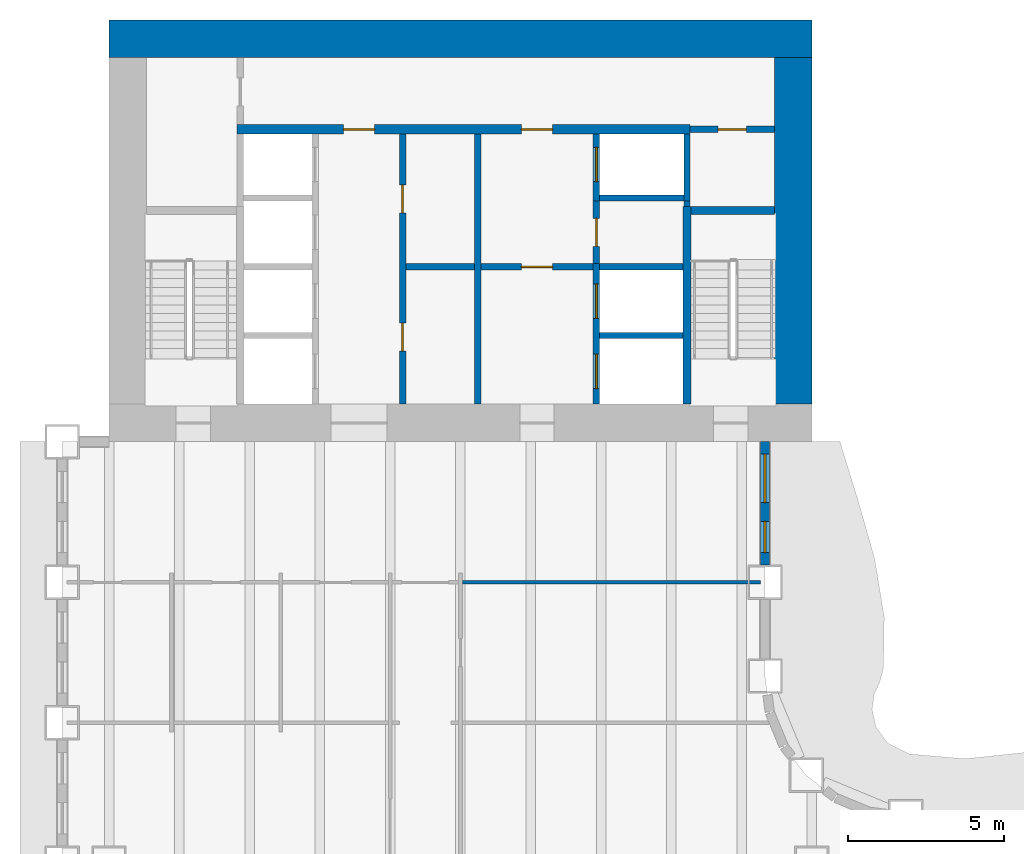
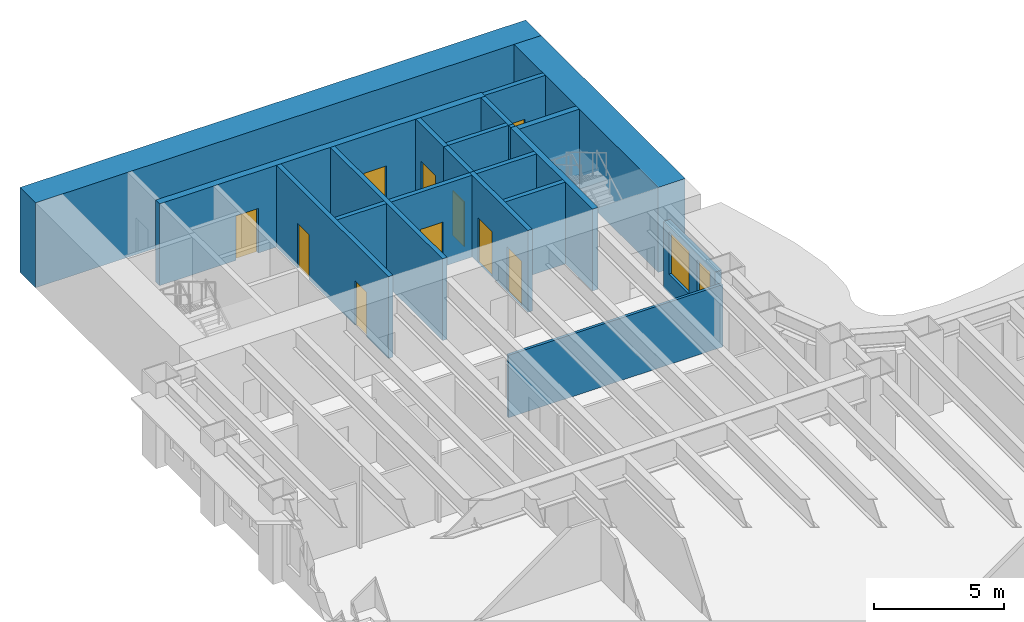
# One storey, part 8 of 15: 20 walls, 10 doors, 2 windows, 12 openings.
"""IFC4 building model written with IfcOpenShell, lengths in metres."""

from ifc_helpers import new_model, si_unit, direction, frame, frame_2d, origin, place, context, subcontext, project, spatial, rectangle, extrude, material, layer, layer_set, type_object, element, fill, save


model = new_model("IFC4")

# Units and contexts
model_context = context("Model", 3, precision=1e-05, world=origin(), true_north=direction((0.0, 1.0)))
body_context = subcontext(model_context, "Body", "Model", "MODEL_VIEW")
ifc_project = project(units=[si_unit("LENGTHUNIT", "METRE"), si_unit("AREAUNIT", "SQUARE_METRE"), si_unit("VOLUMEUNIT", "CUBIC_METRE"), si_unit("PLANEANGLEUNIT", "RADIAN"), si_unit("MASSUNIT", "GRAM", prefix="KILO")], contexts=[model_context])

# Site, building, storey
site_placement = place(None, origin())
site = spatial("IfcSite", under=ifc_project, at=site_placement, CompositionType="ELEMENT")
building_placement = place(site_placement, origin())
building = spatial("IfcBuilding", under=site, at=building_placement, Name="Sennacour Bend Tower", CompositionType="ELEMENT")
storey_placement = place(building_placement, frame((0.0, 0.0, 37.0)))
storey = spatial("IfcBuildingStorey", under=building, at=storey_placement, Name="L07", CompositionType="ELEMENT", Elevation=37.0)

# Walls
ifc_material_1 = material(Name="Concrete C80/95", Category="concrete")
ifc_layer_1 = layer(ifc_material_1, 1.199951171875, Name="Concrete C80/95", Category="concrete")
ifc_layer_set_1 = layer_set([ifc_layer_1], Name="Concrete C80/95")
wall_type_1 = type_object("IfcWallType", Name="Core wall 1200 C80/95", PredefinedType="SHEAR", material=ifc_layer_set_1)
wall_1_placement = place(storey_placement, frame((0.0, 48.89990234375, -0.14990234375), z_axis=(0.0, 0.0, 1.0), x_axis=(1.0, 0.0, 0.0)))
element("IfcWall", 1, at=wall_1_placement, inside=storey, type_object=wall_type_1, Name="Core B wall L07 N", PredefinedType="SHEAR", context=body_context, shape_type="SweptSolid", body=[
    extrude(rectangle(XDim=22.5, YDim=1.199951171875, at=frame_2d((11.25, 0.0))), origin(), (0.0, 0.0, 1.0), 4.0),
])
wall_2_placement = place(storey_placement, frame((21.89990234375, 37.199951171875, -0.14990234375), z_axis=(0.0, 0.0, 1.0), x_axis=(0.0, 1.0, 0.0)))
element("IfcWall", 2, at=wall_2_placement, inside=storey, type_object=wall_type_1, Name="Core B wall L07 E", PredefinedType="SHEAR", context=body_context, shape_type="SweptSolid", body=[
    extrude(rectangle(XDim=11.10009765625, YDim=1.199951171875, at=frame_2d((5.550048828125, 0.0))), origin(), (0.0, 0.0, 1.0), 4.0),
])
ifc_material_2 = material(Name="Plasterboard partition on steel studs", Category="steel")
ifc_layer_2 = layer(ifc_material_2, 0.1201171875, Name="Plasterboard partition on steel studs", Category="steel")
ifc_layer_set_2 = layer_set([ifc_layer_2], Name="Plasterboard partition on steel studs")
wall_type_2 = type_object("IfcWallType", Name="Partition 120", PredefinedType="PARTITIONING", material=ifc_layer_set_2)
wall_3_placement = place(storey_placement, frame((11.31005859375, 31.5, 0.0), z_axis=(0.0, 0.0, 1.0), x_axis=(1.0, 0.0, 0.0)))
element("IfcWall", 3, at=wall_3_placement, inside=storey, type_object=wall_type_2, Name="P-L07-W074ae", PredefinedType="PARTITIONING", context=body_context, shape_type="SweptSolid", body=[
    extrude(rectangle(XDim=9.5400390625, YDim=0.1201171875, at=frame_2d((4.77001953125, 0.0))), origin(), (0.0, 0.0, 1.0), 2.93798828125),
])

# Wall, openings, doors
ifc_material_3 = material(Name="Fire-rated plasterboard partition on steel studs", Category="steel")
ifc_layer_3 = layer(ifc_material_3, 0.199951171875, Name="Fire-rated plasterboard partition on steel studs", Category="steel")
ifc_layer_set_3 = layer_set([ifc_layer_3], Name="Fire-rated plasterboard partition on steel studs")
wall_type_3 = type_object("IfcWallType", Name="Rated partition 200", PredefinedType="PARTITIONING", material=ifc_layer_set_3)
wall_4_placement = place(storey_placement, frame((9.39990234375, 37.199951171875, 0.0), z_axis=(0.0, 0.0, 1.0), x_axis=(0.0, 1.0, 0.0)))
wall_4 = element("IfcWall", 4, at=wall_4_placement, inside=storey, type_object=wall_type_3, Name="P-L07-W014", PredefinedType="PARTITIONING", context=body_context, shape_type="SweptSolid", body=[
    extrude(rectangle(XDim=8.650146484375, YDim=0.199951171875, at=frame_2d((4.3251953125, 0.0))), origin(), (0.0, 0.0, 1.0), 3.85009765625),
])
opening_1_placement = place(wall_4_placement, frame((1.699951171875, 0.0, 0.0)))
opening_1 = element("IfcOpeningElement", 5, at=opening_1_placement, cuts=wall_4, Name="Opening SV", PredefinedType="OPENING", context=body_context, shape_type="SweptSolid", body=[
    extrude(rectangle(XDim=0.89990234375, YDim=2.10009765625, at=frame_2d((0.449951171875, 1.050048828125))), frame((0.0, 0.10986328125, 0.0), z_axis=(0.0, -1.0, 0.0), x_axis=(1.0, 0.0, 0.0)), (0.0, 0.0, 1.0), 0.219970703125),
])
opening_2_placement = place(wall_4_placement, frame((6.125, 0.0, 0.0)))
opening_2 = element("IfcOpeningElement", 6, at=opening_2_placement, cuts=wall_4, Name="Opening SV", PredefinedType="OPENING", context=body_context, shape_type="SweptSolid", body=[
    extrude(rectangle(XDim=0.89990234375, YDim=2.10009765625, at=frame_2d((0.449951171875, 1.050048828125))), frame((0.0, 0.10986328125, 0.0), z_axis=(0.0, -1.0, 0.0), x_axis=(1.0, 0.0, 0.0)), (0.0, 0.0, 1.0), 0.219970703125),
])
ifc_material_4 = material(Name="Painted steel", Category="steel")
door_type_1 = type_object("IfcDoorType", Name="DR-SERVICE-900", OperationType="NOTDEFINED", PredefinedType="DOOR", material=ifc_material_4)
door_1_placement = place(opening_1_placement, origin())
door_1 = element("IfcDoor", 7, at=door_1_placement, inside=storey, type_object=door_type_1, Name="Door", OperationType="SINGLE_SWING_LEFT", OverallHeight=2.10009765625, OverallWidth=0.89990234375, PredefinedType="DOOR", context=body_context, shape_type="SweptSolid", body=[
    extrude(rectangle(XDim=0.89990234375, YDim=2.10009765625, at=frame_2d((0.449951171875, 1.050048828125))), frame((0.0, 0.02490234375, 0.0), z_axis=(0.0, -1.0, 0.0), x_axis=(1.0, 0.0, 0.0)), (0.0, 0.0, 1.0), 0.050048828125),
])
fill(opening_1, door_1)
door_2_placement = place(opening_2_placement, origin())
door_2 = element("IfcDoor", 8, at=door_2_placement, inside=storey, type_object=door_type_1, Name="Door", OperationType="SINGLE_SWING_RIGHT", OverallHeight=2.10009765625, OverallWidth=0.89990234375, PredefinedType="DOOR", context=body_context, shape_type="SweptSolid", body=[
    extrude(rectangle(XDim=0.89990234375, YDim=2.10009765625, at=frame_2d((0.449951171875, 1.050048828125))), frame((0.0, 0.02490234375, 0.0), z_axis=(0.0, -1.0, 0.0), x_axis=(1.0, 0.0, 0.0)), (0.0, 0.0, 1.0), 0.050048828125),
])
fill(opening_2, door_2)

# Wall
wall_5_placement = place(storey_placement, frame((11.800048828125, 37.199951171875, 0.0), z_axis=(0.0, 0.0, 1.0), x_axis=(0.0, 1.0, 0.0)))
element("IfcWall", 9, at=wall_5_placement, inside=storey, type_object=wall_type_3, Name="P-L07-W016", PredefinedType="PARTITIONING", context=body_context, shape_type="SweptSolid", body=[
    extrude(rectangle(XDim=8.650146484375, YDim=0.199951171875, at=frame_2d((4.3251953125, 0.0))), origin(), (0.0, 0.0, 1.0), 3.85009765625),
])

# Wall, opening, door
wall_6_placement = place(storey_placement, frame((15.60009765625, 41.699951171875, 0.0), z_axis=(0.0, 0.0, 1.0), x_axis=(0.0, 1.0, 0.0)))
wall_6 = element("IfcWall", 10, at=wall_6_placement, inside=storey, type_object=wall_type_3, Name="P-L07-W019", PredefinedType="PARTITIONING", context=body_context, shape_type="SweptSolid", body=[
    extrude(rectangle(XDim=2.0, YDim=0.199951171875, at=frame_2d((1.0, 0.0))), origin(), (0.0, 0.0, 1.0), 3.85009765625),
])
opening_3_placement = place(wall_6_placement, frame((0.550048828125, 0.0, 0.0)))
opening_3 = element("IfcOpeningElement", 11, at=opening_3_placement, cuts=wall_6, Name="Opening SV", PredefinedType="OPENING", context=body_context, shape_type="SweptSolid", body=[
    extrude(rectangle(XDim=0.89990234375, YDim=2.10009765625, at=frame_2d((0.449951171875, 1.050048828125))), frame((0.0, 0.10986328125, 0.0), z_axis=(0.0, -1.0, 0.0), x_axis=(1.0, 0.0, 0.0)), (0.0, 0.0, 1.0), 0.219970703125),
])
door_3_placement = place(opening_3_placement, origin())
door_3 = element("IfcDoor", 12, at=door_3_placement, inside=storey, type_object=door_type_1, Name="Door", OperationType="SINGLE_SWING_RIGHT", OverallHeight=2.10009765625, OverallWidth=0.89990234375, PredefinedType="DOOR", context=body_context, shape_type="SweptSolid", body=[
    extrude(rectangle(XDim=0.89990234375, YDim=2.10009765625, at=frame_2d((0.449951171875, 1.050048828125))), frame((0.0, 0.02490234375, 0.0), z_axis=(0.0, -1.0, 0.0), x_axis=(1.0, 0.0, 0.0)), (0.0, 0.0, 1.0), 0.050048828125),
])
fill(opening_3, door_3)

# Walls
wall_7_placement = place(storey_placement, frame((18.5, 43.52490234375, 0.0), z_axis=(0.0, 0.0, 1.0), x_axis=(0.0, 1.0, 0.0)))
element("IfcWall", 13, at=wall_7_placement, inside=storey, type_object=wall_type_3, Name="P-L07-W022", PredefinedType="PARTITIONING", context=body_context, shape_type="SweptSolid", body=[
    extrude(rectangle(XDim=0.175048828125, YDim=0.199951171875, at=frame_2d((0.08740234375, 0.0))), origin(), (0.0, 0.0, 1.0), 3.85009765625),
])
wall_8_placement = place(storey_placement, frame((9.5, 41.60009765625, 0.0), z_axis=(0.0, 0.0, 1.0), x_axis=(1.0, 0.0, 0.0)))
element("IfcWall", 14, at=wall_8_placement, inside=storey, type_object=wall_type_3, Name="P-L07-W079a", PredefinedType="PARTITIONING", context=body_context, shape_type="SweptSolid", body=[
    extrude(rectangle(XDim=2.199951171875, YDim=0.199951171875, at=frame_2d((1.10009765625, 0.0))), origin(), (0.0, 0.0, 1.0), 3.85009765625),
])

# Wall, opening, door
wall_9_placement = place(storey_placement, frame((18.60009765625, 46.0, 0.0), z_axis=(0.0, 0.0, 1.0), x_axis=(1.0, 0.0, 0.0)))
wall_9 = element("IfcWall", 15, at=wall_9_placement, inside=storey, type_object=wall_type_3, Name="P-L07-W086", PredefinedType="PARTITIONING", context=body_context, shape_type="SweptSolid", body=[
    extrude(rectangle(XDim=2.699951171875, YDim=0.199951171875, at=frame_2d((1.35009765625, 0.0))), origin(), (0.0, 0.0, 1.0), 3.85009765625),
])
opening_4_placement = place(wall_9_placement, frame((0.89990234375, 0.0, 0.0)))
opening_4 = element("IfcOpeningElement", 16, at=opening_4_placement, cuts=wall_9, Name="Opening SV", PredefinedType="OPENING", context=body_context, shape_type="SweptSolid", body=[
    extrude(rectangle(XDim=0.89990234375, YDim=2.10009765625, at=frame_2d((0.449951171875, 1.050048828125))), frame((0.0, 0.10986328125, 0.0), z_axis=(0.0, -1.0, 0.0), x_axis=(1.0, 0.0, 0.0)), (0.0, 0.0, 1.0), 0.219970703125),
])
door_4_placement = place(opening_4_placement, origin())
door_4 = element("IfcDoor", 17, at=door_4_placement, inside=storey, type_object=door_type_1, Name="Door", OperationType="SINGLE_SWING_LEFT", OverallHeight=2.10009765625, OverallWidth=0.89990234375, PredefinedType="DOOR", context=body_context, shape_type="SweptSolid", body=[
    extrude(rectangle(XDim=0.89990234375, YDim=2.10009765625, at=frame_2d((0.449951171875, 1.050048828125))), frame((0.0, 0.02490234375, 0.0), z_axis=(0.0, -1.0, 0.0), x_axis=(1.0, 0.0, 0.0)), (0.0, 0.0, 1.0), 0.050048828125),
])
fill(opening_4, door_4)

ifc_layer_4 = layer(ifc_material_3, 0.199951171875, Name="Fire-rated plasterboard partition on steel studs", Category="steel")
ifc_layer_set_4 = layer_set([ifc_layer_4], Name="Fire-rated plasterboard partition on steel studs")
wall_type_4 = type_object("IfcWallType", Name="Rated partition 200 EI 90", PredefinedType="PARTITIONING", material=ifc_layer_set_4)
wall_10_placement = place(storey_placement, frame((11.89990234375, 41.60009765625, 0.0), z_axis=(0.0, 0.0, 1.0), x_axis=(1.0, 0.0, 0.0)))
wall_10 = element("IfcWall", 18, at=wall_10_placement, inside=storey, type_object=wall_type_4, Name="P-L07-W079b", PredefinedType="PARTITIONING", context=body_context, shape_type="SweptSolid", body=[
    extrude(rectangle(XDim=3.60009765625, YDim=0.199951171875, at=frame_2d((1.800048828125, 0.0))), origin(), (0.0, 0.0, 1.0), 3.85009765625),
])
opening_5_placement = place(wall_10_placement, frame((1.300048828125, 0.0, 0.0)))
opening_5 = element("IfcOpeningElement", 19, at=opening_5_placement, cuts=wall_10, Name="Opening FD2", PredefinedType="OPENING", context=body_context, shape_type="SweptSolid", body=[
    extrude(rectangle(XDim=1.0, YDim=2.10009765625, at=frame_2d((0.5, 1.050048828125))), frame((0.0, 0.10986328125, 0.0), z_axis=(0.0, -1.0, 0.0), x_axis=(1.0, 0.0, 0.0)), (0.0, 0.0, 1.0), 0.219970703125),
])
door_type_2 = type_object("IfcDoorType", Name="DR-FFL-1000", OperationType="NOTDEFINED", PredefinedType="DOOR", material=ifc_material_4)
door_5_placement = place(opening_5_placement, origin())
door_5 = element("IfcDoor", 20, at=door_5_placement, inside=storey, type_object=door_type_2, Name="Door", OperationType="SINGLE_SWING_RIGHT", OverallHeight=2.10009765625, OverallWidth=1.0, PredefinedType="DOOR", context=body_context, shape_type="SweptSolid", body=[
    extrude(rectangle(XDim=1.0, YDim=2.10009765625, at=frame_2d((0.5, 1.050048828125))), frame((0.0, 0.02490234375, 0.0), z_axis=(0.0, -1.0, 0.0), x_axis=(1.0, 0.0, 0.0)), (0.0, 0.0, 1.0), 0.050048828125),
])
fill(opening_5, door_5)

# Wall, openings, windows
ifc_material_5 = material(Name="Warm limestone cladding", Category="masonry")
ifc_layer_5 = layer(ifc_material_5, 0.050048828125, Name="Warm limestone cladding", Category="masonry")
ifc_material_6 = material(Name="Precast concrete C40/50", Category="concrete")
ifc_layer_6 = layer(ifc_material_6, 0.25, Name="Precast concrete C40/50", Category="concrete")
ifc_layer_set_5 = layer_set([ifc_layer_5, ifc_layer_6], Name="Precast concrete C40/50 with limestone cladding")
wall_type_5 = type_object("IfcWallType", Name="STONE-CLAD PRECAST SPANDREL 300", PredefinedType="STANDARD", material=ifc_layer_set_5)
wall_11_placement = place(storey_placement, frame((21.0, 32.050048828125, 0.0), z_axis=(0.0, 0.0, 1.0), x_axis=(0.0, 1.0, 0.0)))
wall_11 = element("IfcWall", 21, at=wall_11_placement, inside=storey, type_object=wall_type_5, Name="Stone spandrel and pier wall L07 15.01", PredefinedType="STANDARD", context=body_context, shape_type="SweptSolid", body=[
    extrude(rectangle(XDim=3.949951171875, YDim=0.300048828125, at=frame_2d((1.97509765625, 0.0))), origin(), (0.0, 0.0, 1.0), 3.14404296875),
])
opening_6_placement = place(wall_11_placement, frame((0.39990234375, 0.0, 0.89990234375)))
opening_6 = element("IfcOpeningElement", 22, at=opening_6_placement, cuts=wall_11, Name="Opening W8", PredefinedType="OPENING", context=body_context, shape_type="SweptSolid", body=[
    extrude(rectangle(XDim=1.0, YDim=2.0, at=frame_2d((0.5, 1.0))), frame((0.0, 0.16015625, 0.0), z_axis=(0.0, -1.0, 0.0), x_axis=(1.0, 0.0, 0.0)), (0.0, 0.0, 1.0), 0.320068359375),
])
opening_7_placement = place(wall_11_placement, frame((2.0, 0.0, 0.89990234375)))
opening_7 = element("IfcOpeningElement", 23, at=opening_7_placement, cuts=wall_11, Name="Opening W9", PredefinedType="OPENING", context=body_context, shape_type="SweptSolid", body=[
    extrude(rectangle(XDim=1.550048828125, YDim=2.0, at=frame_2d((0.77490234375, 1.0))), frame((0.0, 0.16015625, 0.0), z_axis=(0.0, -1.0, 0.0), x_axis=(1.0, 0.0, 0.0)), (0.0, 0.0, 1.0), 0.320068359375),
])
ifc_material_7 = material(Name="Clear low-emissivity glass", Category="glass")
window_type_1 = type_object("IfcWindowType", Name="WIN-RIBBON-1000x2000", PartitioningType="SINGLE_PANEL", PredefinedType="WINDOW", material=ifc_material_7)
window_1_placement = place(opening_6_placement, origin())
window_1 = element("IfcWindow", 24, at=window_1_placement, inside=storey, type_object=window_type_1, Name="Ribbon window L07 15.01.0", OverallHeight=2.0, OverallWidth=1.0, PartitioningType="SINGLE_PANEL", PredefinedType="WINDOW", context=body_context, shape_type="SweptSolid", body=[
    extrude(rectangle(XDim=1.0, YDim=2.0, at=frame_2d((0.5, 1.0))), frame((0.0, 0.030029296875, 0.0), z_axis=(0.0, -1.0, 0.0), x_axis=(1.0, 0.0, 0.0)), (0.0, 0.0, 1.0), 0.06005859375),
])
fill(opening_6, window_1)
window_type_2 = type_object("IfcWindowType", Name="WIN-RIBBON-1550x2000", PartitioningType="SINGLE_PANEL", PredefinedType="WINDOW", material=ifc_material_7)
window_2_placement = place(opening_7_placement, origin())
window_2 = element("IfcWindow", 25, at=window_2_placement, inside=storey, type_object=window_type_2, Name="Ribbon window L07 15.01.1", OverallHeight=2.0, OverallWidth=1.550048828125, PartitioningType="SINGLE_PANEL", PredefinedType="WINDOW", context=body_context, shape_type="SweptSolid", body=[
    extrude(rectangle(XDim=1.550048828125, YDim=2.0, at=frame_2d((0.77490234375, 1.0))), frame((0.0, 0.030029296875, 0.0), z_axis=(0.0, -1.0, 0.0), x_axis=(1.0, 0.0, 0.0)), (0.0, 0.0, 1.0), 0.06005859375),
])
fill(opening_7, window_2)

# Wall, openings, doors
ifc_material_8 = material(Name="Concrete C50/60", Category="concrete")
ifc_layer_7 = layer(ifc_material_8, 0.199951171875, Name="Concrete C50/60", Category="concrete")
ifc_layer_set_6 = layer_set([ifc_layer_7], Name="Concrete C50/60")
wall_type_6 = type_object("IfcWallType", Name="Shaft wall 200", PredefinedType="SOLIDWALL", material=ifc_layer_set_6)
wall_12_placement = place(storey_placement, frame((15.60009765625, 37.199951171875, 0.0), z_axis=(0.0, 0.0, 1.0), x_axis=(0.0, 1.0, 0.0)))
wall_12 = element("IfcWall", 26, at=wall_12_placement, inside=storey, type_object=wall_type_6, Name="P-L07-W018", PredefinedType="SOLIDWALL", context=body_context, shape_type="SweptSolid", body=[
    extrude(rectangle(XDim=4.5, YDim=0.199951171875, at=frame_2d((2.25, 0.0))), origin(), (0.0, 0.0, 1.0), 3.85009765625),
])
opening_8_placement = place(wall_12_placement, frame((0.5, 0.0, 0.011962890625)))
opening_8 = element("IfcOpeningElement", 27, at=opening_8_placement, cuts=wall_12, Name="Opening FLD", PredefinedType="OPENING", context=body_context, shape_type="SweptSolid", body=[
    extrude(rectangle(XDim=1.10009765625, YDim=2.10009765625, at=frame_2d((0.550048828125, 1.050048828125))), frame((0.0, 0.10986328125, 0.0), z_axis=(0.0, -1.0, 0.0), x_axis=(1.0, 0.0, 0.0)), (0.0, 0.0, 1.0), 0.219970703125),
])
opening_9_placement = place(wall_12_placement, frame((2.75, 0.0, 0.011962890625)))
opening_9 = element("IfcOpeningElement", 28, at=opening_9_placement, cuts=wall_12, Name="Opening FLD", PredefinedType="OPENING", context=body_context, shape_type="SweptSolid", body=[
    extrude(rectangle(XDim=1.10009765625, YDim=2.10009765625, at=frame_2d((0.550048828125, 1.050048828125))), frame((0.0, 0.10986328125, 0.0), z_axis=(0.0, -1.0, 0.0), x_axis=(1.0, 0.0, 0.0)), (0.0, 0.0, 1.0), 0.219970703125),
])
ifc_material_9 = material(Name="Stainless steel", Category="steel")
door_type_3 = type_object("IfcDoorType", Name="DR-FF-LANDING-1100", OperationType="NOTDEFINED", PredefinedType="DOOR", material=ifc_material_9)
door_6_placement = place(opening_8_placement, origin())
door_6 = element("IfcDoor", 29, at=door_6_placement, inside=storey, type_object=door_type_3, Name="Fire service lift landing door FB1", OperationType="SLIDING_TO_RIGHT", OverallHeight=2.10009765625, OverallWidth=1.10009765625, PredefinedType="DOOR", context=body_context, shape_type="SweptSolid", body=[
    extrude(rectangle(XDim=1.10009765625, YDim=2.10009765625, at=frame_2d((0.550048828125, 1.050048828125))), frame((0.0, 0.02490234375, 0.0), z_axis=(0.0, -1.0, 0.0), x_axis=(1.0, 0.0, 0.0)), (0.0, 0.0, 1.0), 0.050048828125),
])
fill(opening_8, door_6)
door_7_placement = place(opening_9_placement, origin())
door_7 = element("IfcDoor", 30, at=door_7_placement, inside=storey, type_object=door_type_3, Name="Fire service lift landing door FB2", OperationType="SLIDING_TO_LEFT", OverallHeight=2.10009765625, OverallWidth=1.10009765625, PredefinedType="DOOR", context=body_context, shape_type="SweptSolid", body=[
    extrude(rectangle(XDim=1.10009765625, YDim=2.10009765625, at=frame_2d((0.550048828125, 1.050048828125))), frame((0.0, 0.02490234375, 0.0), z_axis=(0.0, -1.0, 0.0), x_axis=(1.0, 0.0, 0.0)), (0.0, 0.0, 1.0), 0.050048828125),
])
fill(opening_9, door_7)

# Wall, opening, door
wall_13_placement = place(storey_placement, frame((15.60009765625, 43.699951171875, 0.0), z_axis=(0.0, 0.0, 1.0), x_axis=(0.0, 1.0, 0.0)))
wall_13 = element("IfcWall", 31, at=wall_13_placement, inside=storey, type_object=wall_type_6, Name="P-L07-W020", PredefinedType="SOLIDWALL", context=body_context, shape_type="SweptSolid", body=[
    extrude(rectangle(XDim=2.150146484375, YDim=0.199951171875, at=frame_2d((1.0751953125, 0.0))), origin(), (0.0, 0.0, 1.0), 3.85009765625),
])
opening_10_placement = place(wall_13_placement, frame((0.625, 0.0, 0.011962890625)))
opening_10 = element("IfcOpeningElement", 32, at=opening_10_placement, cuts=wall_13, Name="Opening LD", PredefinedType="OPENING", context=body_context, shape_type="SweptSolid", body=[
    extrude(rectangle(XDim=1.10009765625, YDim=2.10009765625, at=frame_2d((0.550048828125, 1.050048828125))), frame((0.0, 0.10986328125, 0.0), z_axis=(0.0, -1.0, 0.0), x_axis=(1.0, 0.0, 0.0)), (0.0, 0.0, 1.0), 0.219970703125),
])
door_type_4 = type_object("IfcDoorType", Name="DR-LANDING-1100", OperationType="NOTDEFINED", PredefinedType="DOOR", material=ifc_material_9)
door_8_placement = place(opening_10_placement, origin())
door_8 = element("IfcDoor", 33, at=door_8_placement, inside=storey, type_object=door_type_4, Name="Lift landing door LB5", OperationType="SLIDING_TO_RIGHT", OverallHeight=2.10009765625, OverallWidth=1.10009765625, PredefinedType="DOOR", context=body_context, shape_type="SweptSolid", body=[
    extrude(rectangle(XDim=1.10009765625, YDim=2.10009765625, at=frame_2d((0.550048828125, 1.050048828125))), frame((0.0, 0.02490234375, 0.0), z_axis=(0.0, -1.0, 0.0), x_axis=(1.0, 0.0, 0.0)), (0.0, 0.0, 1.0), 0.050048828125),
])
fill(opening_10, door_8)

# Walls
wall_14_placement = place(storey_placement, frame((18.5, 43.699951171875, 0.0), z_axis=(0.0, 0.0, 1.0), x_axis=(0.0, 1.0, 0.0)))
element("IfcWall", 34, at=wall_14_placement, inside=storey, type_object=wall_type_6, Name="P-L07-W023", PredefinedType="SOLIDWALL", context=body_context, shape_type="SweptSolid", body=[
    extrude(rectangle(XDim=2.150146484375, YDim=0.199951171875, at=frame_2d((1.0751953125, 0.0))), origin(), (0.0, 0.0, 1.0), 3.85009765625),
])
for number, where, z_axis, x_axis, name in (
    (35, (15.699951171875, 39.39990234375, 0.0), (0.0, 0.0, 1.0), (1.0, 0.0, 0.0), "P-L07-W077"),
    (36, (15.699951171875, 41.60009765625, 0.0), (0.0, 0.0, 1.0), (1.0, 0.0, 0.0), "P-L07-W080"),
):
    element("IfcWall", number, at=place(storey_placement, frame(where, z_axis=z_axis, x_axis=x_axis)), inside=storey, type_object=wall_type_6, Name=name, PredefinedType="SOLIDWALL", context=body_context, shape_type="SweptSolid", body=[
        extrude(rectangle(XDim=2.675048828125, YDim=0.199951171875, at=frame_2d((1.33740234375, 0.0))), origin(), (0.0, 0.0, 1.0), 3.85009765625),
    ])
wall_15_placement = place(storey_placement, frame((15.699951171875, 43.800048828125, 0.0), z_axis=(0.0, 0.0, 1.0), x_axis=(1.0, 0.0, 0.0)))
element("IfcWall", 37, at=wall_15_placement, inside=storey, type_object=wall_type_6, Name="P-L07-W084", PredefinedType="SOLIDWALL", context=body_context, shape_type="SweptSolid", body=[
    extrude(rectangle(XDim=2.699951171875, YDim=0.199951171875, at=frame_2d((1.35009765625, 0.0))), origin(), (0.0, 0.0, 1.0), 3.85009765625),
])

# Wall, openings, doors
ifc_material_10 = material(Name="Concrete C60/75", Category="concrete")
ifc_layer_8 = layer(ifc_material_10, 0.300048828125, Name="Concrete C60/75", Category="concrete")
ifc_layer_set_7 = layer_set([ifc_layer_8], Name="Concrete C60/75")
wall_type_7 = type_object("IfcWallType", Name="Spine wall 300", PredefinedType="SHEAR", material=ifc_layer_set_7)
wall_16_placement = place(storey_placement, frame((4.10009765625, 46.0, 0.0), z_axis=(0.0, 0.0, 1.0), x_axis=(1.0, 0.0, 0.0)))
wall_16 = element("IfcWall", 38, at=wall_16_placement, inside=storey, type_object=wall_type_7, Name="P-L07-W085", PredefinedType="SHEAR", context=body_context, shape_type="SweptSolid", body=[
    extrude(rectangle(XDim=14.5, YDim=0.300048828125, at=frame_2d((7.25, 0.0))), origin(), (0.0, 0.0, 1.0), 3.85009765625),
])
opening_11_placement = place(wall_16_placement, frame((3.39990234375, 0.0, 0.0)))
opening_11 = element("IfcOpeningElement", 39, at=opening_11_placement, cuts=wall_16, Name="Opening CD2", PredefinedType="OPENING", context=body_context, shape_type="SweptSolid", body=[
    extrude(rectangle(XDim=1.0, YDim=2.10009765625, at=frame_2d((0.5, 1.050048828125))), frame((0.0, 0.16015625, 0.0), z_axis=(0.0, -1.0, 0.0), x_axis=(1.0, 0.0, 0.0)), (0.0, 0.0, 1.0), 0.320068359375),
])
opening_12_placement = place(wall_16_placement, frame((9.099853515625, 0.0, 0.0)))
opening_12 = element("IfcOpeningElement", 40, at=opening_12_placement, cuts=wall_16, Name="Opening CD2", PredefinedType="OPENING", context=body_context, shape_type="SweptSolid", body=[
    extrude(rectangle(XDim=1.0, YDim=2.10009765625, at=frame_2d((0.5, 1.050048828125))), frame((0.0, 0.16015625, 0.0), z_axis=(0.0, -1.0, 0.0), x_axis=(1.0, 0.0, 0.0)), (0.0, 0.0, 1.0), 0.320068359375),
])
door_type_5 = type_object("IfcDoorType", Name="DR-LOBBY-1000", OperationType="NOTDEFINED", PredefinedType="DOOR", material=ifc_material_4)
door_9_placement = place(opening_11_placement, origin())
door_9 = element("IfcDoor", 41, at=door_9_placement, inside=storey, type_object=door_type_5, Name="Door", OperationType="SINGLE_SWING_LEFT", OverallHeight=2.10009765625, OverallWidth=1.0, PredefinedType="DOOR", context=body_context, shape_type="SweptSolid", body=[
    extrude(rectangle(XDim=1.0, YDim=2.10009765625, at=frame_2d((0.5, 1.050048828125))), frame((0.0, 0.02490234375, 0.0), z_axis=(0.0, -1.0, 0.0), x_axis=(1.0, 0.0, 0.0)), (0.0, 0.0, 1.0), 0.050048828125),
])
fill(opening_11, door_9)
door_10_placement = place(opening_12_placement, origin())
door_10 = element("IfcDoor", 42, at=door_10_placement, inside=storey, type_object=door_type_5, Name="Door", OperationType="SINGLE_SWING_RIGHT", OverallHeight=2.10009765625, OverallWidth=1.0, PredefinedType="DOOR", context=body_context, shape_type="SweptSolid", body=[
    extrude(rectangle(XDim=1.0, YDim=2.10009765625, at=frame_2d((0.5, 1.050048828125))), frame((0.0, 0.02490234375, 0.0), z_axis=(0.0, -1.0, 0.0), x_axis=(1.0, 0.0, 0.0)), (0.0, 0.0, 1.0), 0.050048828125),
])
fill(opening_12, door_10)

# Walls
ifc_layer_9 = layer(ifc_material_10, 0.25, Name="Concrete C60/75", Category="concrete")
ifc_layer_set_8 = layer_set([ifc_layer_9], Name="Concrete C60/75")
wall_type_8 = type_object("IfcWallType", Name="Stair wall 250", PredefinedType="SHEAR", material=ifc_layer_set_8)
wall_17_placement = place(storey_placement, frame((18.5, 37.199951171875, 0.0), z_axis=(0.0, 0.0, 1.0), x_axis=(0.0, 1.0, 0.0)))
element("IfcWall", 43, at=wall_17_placement, inside=storey, type_object=wall_type_8, Name="P-L07-W021", PredefinedType="SHEAR", context=body_context, shape_type="SweptSolid", body=[
    extrude(rectangle(XDim=6.324951171875, YDim=0.25, at=frame_2d((3.16259765625, 0.0))), origin(), (0.0, 0.0, 1.0), 3.85009765625),
])
wall_18_placement = place(storey_placement, frame((18.625, 43.39990234375, 0.0), z_axis=(0.0, 0.0, 1.0), x_axis=(1.0, 0.0, 0.0)))
element("IfcWall", 44, at=wall_18_placement, inside=storey, type_object=wall_type_8, Name="P-L07-W082", PredefinedType="SHEAR", context=body_context, shape_type="SweptSolid", body=[
    extrude(rectangle(XDim=2.675048828125, YDim=0.25, at=frame_2d((1.33740234375, 0.0))), origin(), (0.0, 0.0, 1.0), 3.85009765625),
])

save(model, "model.ifc")
